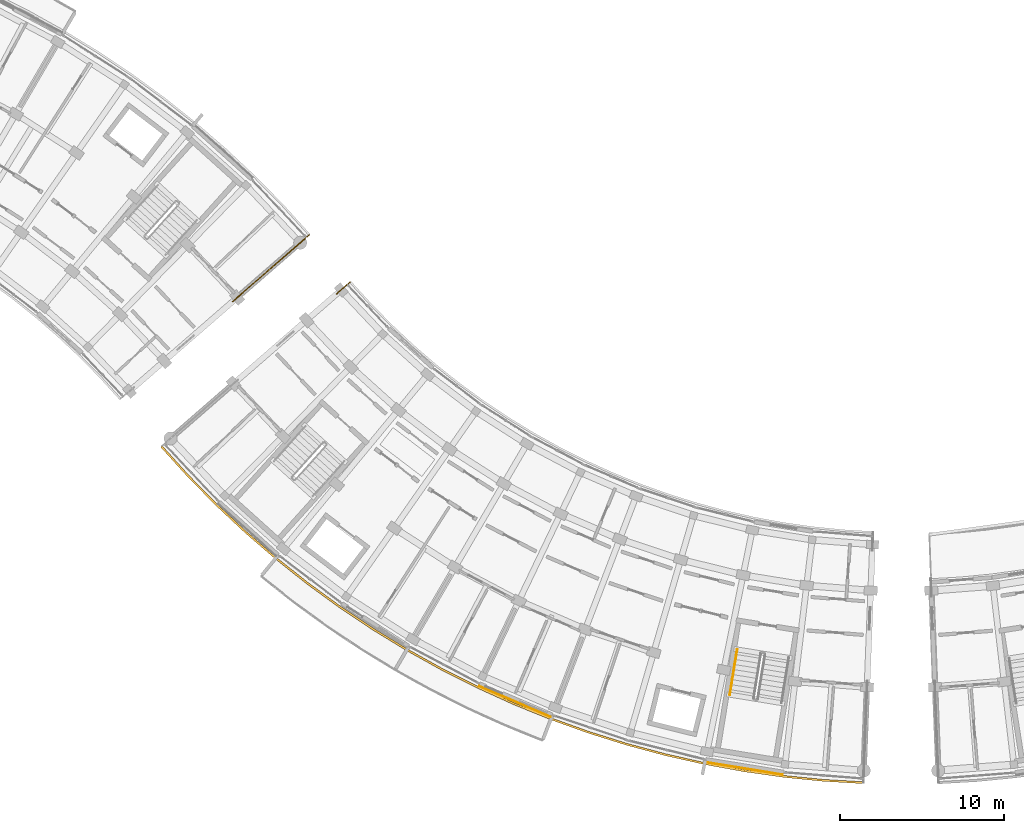
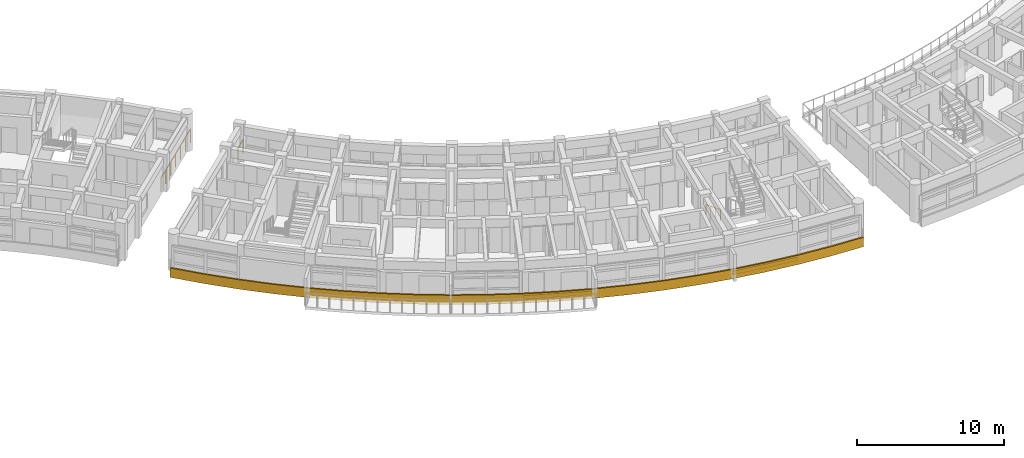
# One storey, part 46 of 54: 4 railings, 2 coverings.
"""IFC4 building model written with IfcOpenShell, lengths in metres."""

from ifc_helpers import new_model, si_unit, direction, frame, origin, origin_2d, place, context, subcontext, project, spatial, polyline, rectangle, circle, outline, extrude, material, layer, layer_set, type_object, element, save


model = new_model("IFC4")

# Units and contexts
model_context = context("Model", 3, precision=1e-05, world=origin(), true_north=direction((0.0, 1.0)))
body_context = subcontext(model_context, "Body", "Model", "MODEL_VIEW")
ifc_project = project(units=[si_unit("LENGTHUNIT", "METRE"), si_unit("AREAUNIT", "SQUARE_METRE"), si_unit("VOLUMEUNIT", "CUBIC_METRE"), si_unit("PLANEANGLEUNIT", "RADIAN"), si_unit("MASSUNIT", "GRAM", prefix="KILO")], contexts=[model_context])

# Site, building, storey
site_placement = place(None, origin())
site = spatial("IfcSite", under=ifc_project, at=site_placement, CompositionType="ELEMENT")
building_placement = place(site_placement, origin())
building = spatial("IfcBuilding", under=site, at=building_placement, Name="Zimvara Arc Housing Community", CompositionType="ELEMENT")
storey_placement = place(building_placement, frame((0.0, 0.0, 20.5)))
storey = spatial("IfcBuildingStorey", under=building, at=storey_placement, Name="L06", CompositionType="ELEMENT", Elevation=20.5)

# Coverings
ifc_material_1 = material(Name="Pale-Gold Anodised Aluminium Cladding", Category="aluminium")
ifc_layer_1 = layer(ifc_material_1, 0.0400390625)
ifc_layer_set_1 = layer_set([ifc_layer_1], Name="Pale-Gold Anodised Aluminium Cladding")
covering_type_1 = type_object("IfcCoveringType", Name="CLD-GOLD-01", PredefinedType="CLADDING", material=ifc_layer_set_1)
covering_1_placement = place(storey_placement, frame((116.449462890625, 51.14599609375, 0.009765625), z_axis=(0.0, 0.0, 1.0), x_axis=(0.987080395872, -0.160225753504, 0.0)))
element("IfcCovering", 1, at=covering_1_placement, inside=storey, type_object=covering_type_1, Name="cld:blkC:L06:out:b8", PredefinedType="CLADDING", context=body_context, shape_type="SweptSolid", body=[
    extrude(rectangle(XDim=4.748779296875, YDim=0.0400390625, at=origin_2d()), origin(), (0.0, 0.0, 1.0), 0.300048828125),
])
ifc_material_2 = material(Name="Pale-Gold Anodised Aluminium Cladding", Category="aluminium")
ifc_layer_2 = layer(ifc_material_2, 0.044921875)
ifc_layer_set_2 = layer_set([ifc_layer_2], Name="Pale-Gold Anodised Aluminium Cladding")
covering_type_2 = type_object("IfcCoveringType", Name="CLD-GOLD-02", PredefinedType="CLADDING", material=ifc_layer_set_2)
covering_2_placement = place(storey_placement, frame((102.4921875, 55.21728515625, 0.009765625), z_axis=(0.0, 0.0, 1.0), x_axis=(0.918721611116, -0.394905813161, 0.0)))
element("IfcCovering", 2, at=covering_2_placement, inside=storey, type_object=covering_type_2, Name="cld:blkC:L06:out:b5", PredefinedType="CLADDING", context=body_context, shape_type="SweptSolid", body=[
    extrude(rectangle(XDim=4.748779296875, YDim=0.044921875, at=origin_2d()), origin(), (0.0, 0.0, 1.0), 0.300048828125),
])

# Railings
ifc_material_3 = material(Name="Anodised Aluminium AW-6063", Category="aluminium")
railing_type_1 = type_object("IfcRailingType", Name="RLG-BAL-1150", PredefinedType="BALUSTRADE", material=ifc_material_3)
railing_1_placement = place(storey_placement, frame((85.331787109375, 79.559814453125, 0.0)))
element("IfcRailing", 3, at=railing_1_placement, inside=storey, type_object=railing_type_1, Name="rlg:blkB:L06:gable_out:gN", PredefinedType="BALUSTRADE", context=body_context, shape_type="SweptSolid", body=[
    extrude(circle(Radius=0.02392578125, at=origin_2d()), frame((0.0, 0.0, 1.1259765625), z_axis=(0.754708757217, 0.656059975749, 0.0), x_axis=(-0.656059975749, 0.754708757217, 0.0)), (0.0, 0.0, 1.0), 6.159912109375),
    extrude(circle(Radius=0.02099609375, at=origin_2d()), origin(), (0.0, 0.0, 1.0), 1.101806640625),
    extrude(circle(Radius=0.02099609375, at=origin_2d()), frame((0.77490234375, 0.673583984375, 0.0)), (0.0, 0.0, 1.0), 1.101806640625),
    extrude(circle(Radius=0.02099609375, at=origin_2d()), frame((1.549560546875, 1.34716796875, 0.0)), (0.0, 0.0, 1.0), 1.101806640625),
    extrude(circle(Radius=0.02099609375, at=origin_2d()), frame((2.324462890625, 2.0205078125, 0.0)), (0.0, 0.0, 1.0), 1.101806640625),
    extrude(circle(Radius=0.02099609375, at=origin_2d()), frame((3.099365234375, 2.694091796875, 0.0)), (0.0, 0.0, 1.0), 1.101806640625),
    extrude(circle(Radius=0.02099609375, at=origin_2d()), frame((3.8740234375, 3.36767578125, 0.0)), (0.0, 0.0, 1.0), 1.101806640625),
    extrude(circle(Radius=0.02099609375, at=origin_2d()), frame((4.64892578125, 4.041259765625, 0.0)), (0.0, 0.0, 1.0), 1.101806640625),
])
railing_2_placement = place(storey_placement, frame((92.470947265625, 80.73095703125, 0.0)))
element("IfcRailing", 4, at=railing_2_placement, inside=storey, type_object=railing_type_1, Name="rlg:blkC:L06:gable_in:g0", PredefinedType="BALUSTRADE", context=body_context, shape_type="SweptSolid", body=[
    extrude(circle(Radius=0.02392578125, at=origin_2d()), frame((0.0, 0.0, 1.1259765625), z_axis=(-0.75477095777, -0.655988415528, 0.0), x_axis=(0.655988415528, -0.75477095777, 0.0)), (0.0, 0.0, 1.0), 1.080078125),
    extrude(circle(Radius=0.02099609375, at=origin_2d()), origin(), (0.0, 0.0, 1.0), 1.101806640625),
    extrude(circle(Radius=0.02099609375, at=origin_2d()), frame((-0.815185546875, -0.70849609375, 0.0)), (0.0, 0.0, 1.0), 1.101806640625),
])
ifc_material_4 = material(Name="Pale-Gold Anodised Aluminium AW-6063", Category="aluminium")
railing_type_2 = type_object("IfcRailingType", Name="RLG-FAS-780", PredefinedType="BALUSTRADE", material=ifc_material_4)
railing_3_placement = place(storey_placement, frame((0.0, 0.0, -0.219970703125)))
element("IfcRailing", 5, at=railing_3_placement, inside=storey, type_object=railing_type_2, Name="rlg:blkC:L06:gold_out", PredefinedType="BALUSTRADE", context=body_context, shape_type="SweptSolid", body=[
    extrude(outline(polyline([(80.93896484375, 70.706298828125), (82.5751953125, 68.900146484375), (84.28369140625, 67.162109375), (86.061767578125, 65.4951171875), (87.906494140625, 63.90234375), (89.814697265625, 62.38623046875), (91.783203125, 60.94921875), (93.80859375, 59.59375), (95.8876953125, 58.322021484375), (98.01708984375, 57.136474609375), (100.193115234375, 56.03857421875), (102.412109375, 55.03076171875), (104.67041015625, 54.114013671875), (106.96435546875, 53.29052734375), (109.289794921875, 52.561279296875), (111.643310546875, 51.927734375), (114.0205078125, 51.390625), (116.417724609375, 50.950927734375), (118.830810546875, 50.60986328125), (121.256103515625, 50.3671875), (123.68896484375, 50.223876953125), (123.693603515625, 50.343994140625), (121.265625, 50.48681640625), (118.84521484375, 50.728759765625), (116.43701171875, 51.069580078125), (114.04443359375, 51.508056640625), (111.672119140625, 52.044189453125), (109.3232421875, 52.676513671875), (107.00244140625, 53.404296875), (104.71337890625, 54.226318359375), (102.45947265625, 55.140869140625), (100.244873046875, 56.14697265625), (98.0732421875, 57.242431640625), (95.9482421875, 58.42578125), (93.873291015625, 59.69482421875), (91.851806640625, 61.04736328125), (89.887451171875, 62.481689453125), (87.98291015625, 63.99462890625), (86.14208984375, 65.58447265625), (84.367431640625, 67.247802734375), (82.662353515625, 68.982421875), (81.029541015625, 70.78515625), (80.93896484375, 70.706298828125)])), origin(), (0.0, 0.0, 1.0), 0.780029296875),
])
ifc_material_5 = material(Name="Anodised Aluminium AW-6063", Category="aluminium")
railing_type_3 = type_object("IfcRailingType", Name="RLG-HND-900", PredefinedType="HANDRAIL", material=ifc_material_5)
railing_4_placement = place(storey_placement, frame((116.0146484375, 58.391845703125, 0.155029296875)))
element("IfcRailing", 6, at=railing_4_placement, inside=storey, type_object=railing_type_3, Name="L06 ST-C2 stair handrail 1", PredefinedType="HANDRAIL", context=body_context, shape_type="SweptSolid", body=[
    extrude(circle(Radius=0.02392578125, at=origin_2d()), frame((0.0, 0.0, 0.8759765625), z_axis=(-0.143299288836, -0.882883275458, 0.447193957625), x_axis=(0.987082674257, -0.160211716742, 0.0)), (0.0, 0.0, 1.0), 3.119384765625),
    extrude(circle(Radius=0.02099609375, at=origin_2d()), origin(), (0.0, 0.0, 1.0), 0.851806640625),
    extrude(circle(Radius=0.02099609375, at=origin_2d()), frame((-0.14892578125, -0.91796875, 0.465087890625)), (0.0, 0.0, 1.0), 0.851806640625),
    extrude(circle(Radius=0.02099609375, at=origin_2d()), frame((-0.298095703125, -1.836181640625, 0.929931640625)), (0.0, 0.0, 1.0), 0.851806640625),
    extrude(circle(Radius=0.02099609375, at=origin_2d()), frame((-0.447021484375, -2.754150390625, 1.39501953125)), (0.0, 0.0, 1.0), 0.851806640625),
])

save(model, "model.ifc")
